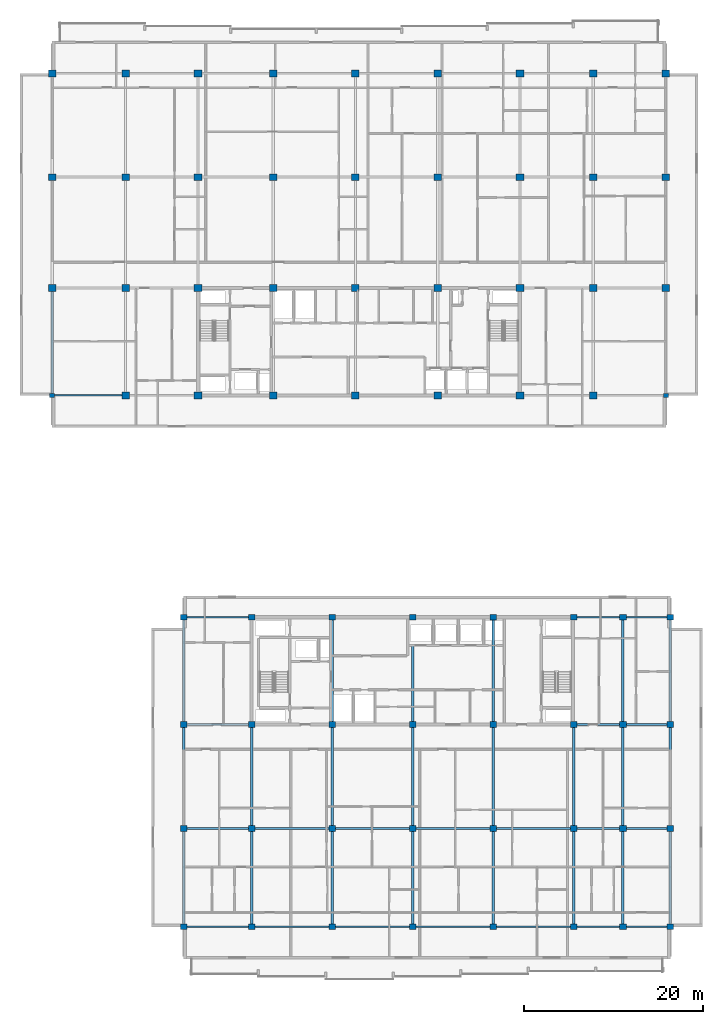
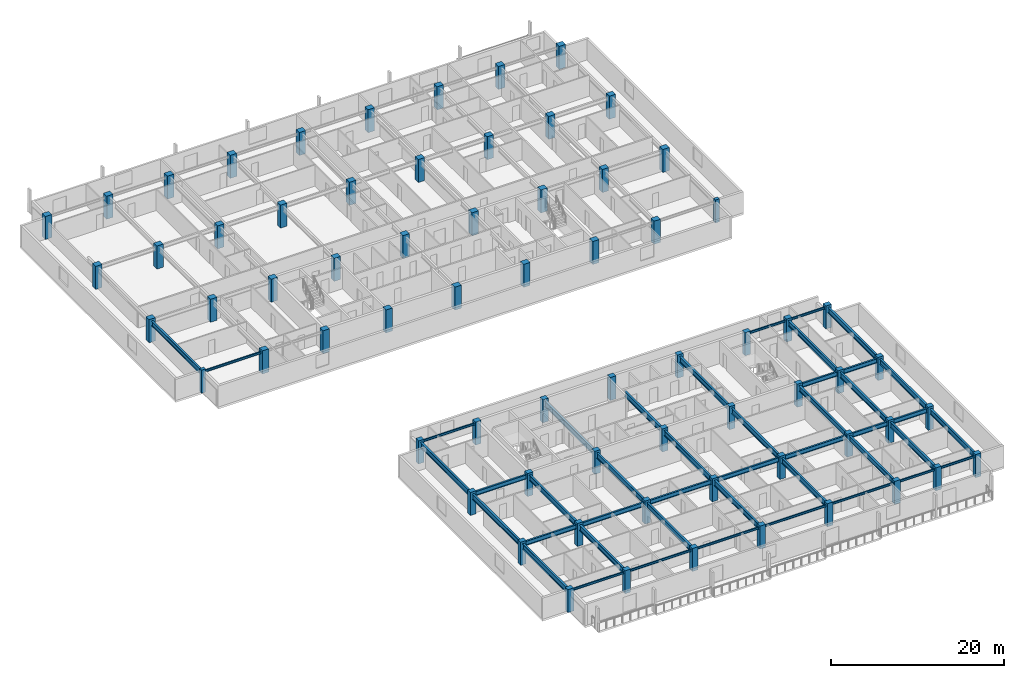
# One storey, part 1 of 22: 68 columns, 44 beams.
"""IFC4 building model written with IfcOpenShell, lengths in metres."""

from ifc_helpers import new_model, si_unit, direction, frame, origin, origin_2d, place, context, subcontext, project, spatial, rectangle, i_section, extrude, material, material_profile, profile_set, type_object, element, save


model = new_model("IFC4")

# Units and contexts
model_context = context("Model", 3, precision=1e-05, world=origin(), true_north=direction((0.0, 1.0)))
body_context = subcontext(model_context, "Body", "Model", "MODEL_VIEW")
ifc_project = project(units=[si_unit("LENGTHUNIT", "METRE"), si_unit("AREAUNIT", "SQUARE_METRE"), si_unit("VOLUMEUNIT", "CUBIC_METRE"), si_unit("PLANEANGLEUNIT", "RADIAN"), si_unit("MASSUNIT", "GRAM", prefix="KILO")], contexts=[model_context])

# Site, building, storey
site_placement = place(None, origin())
site = spatial("IfcSite", under=ifc_project, at=site_placement, CompositionType="ELEMENT")
building_placement = place(site_placement, origin())
building = spatial("IfcBuilding", under=site, at=building_placement, Name="Korimba Cascade Residences", CompositionType="ELEMENT")
storey_placement = place(building_placement, frame((0.0, 0.0, 181.60009765625)))
storey = spatial("IfcBuildingStorey", under=building, at=storey_placement, Name="L52", CompositionType="ELEMENT", Elevation=181.60009765625)

# Columns
ifc_material_1 = material(Name="Concrete C65/80", Category="concrete")
ifc_material_profile_1 = material_profile(ifc_material_1, rectangle(XDim=0.550048828125, YDim=0.449951171875, at=origin_2d()), Name="Concrete C65/80")
ifc_profile_set_1 = profile_set([ifc_material_profile_1], Name="Concrete C65/80")
column_type_1 = type_object("IfcColumnType", Name="COL-PIL-550", PredefinedType="PILASTER", material=ifc_profile_set_1)
for number, where, z_axis, x_axis, name in (
    (1, (59.800048828125, 55.199951171875, 0.0), (0.0, 0.0, 1.0), (1.0, 0.0, 0.0), "L52 Tower 1 Column 1.1"),
    (2, (128.39990234375, 55.199951171875, 0.0), (0.0, 0.0, 1.0), (1.0, 0.0, 0.0), "L52 Tower 1 Column 9.1"),
):
    element("IfcColumn", number, at=place(storey_placement, frame(where, z_axis=z_axis, x_axis=x_axis)), inside=storey, type_object=column_type_1, Name=name, PredefinedType="PILASTER", context=body_context, shape_type="SweptSolid", body=[
        extrude(rectangle(XDim=0.550048828125, YDim=0.449951171875, at=origin_2d()), origin(), (0.0, 0.0, 1.0), 3.25),
    ])
ifc_material_2 = material(Name="Concrete C50/60", Category="concrete")
ifc_material_profile_2 = material_profile(ifc_material_2, rectangle(XDim=0.75, YDim=0.64990234375, at=origin_2d()), Name="Concrete C50/60")
ifc_profile_set_2 = profile_set([ifc_material_profile_2], Name="Concrete C50/60")
column_type_2 = type_object("IfcColumnType", Name="COL-RC-750", PredefinedType="COLUMN", material=ifc_profile_set_2)
for number, where, z_axis, x_axis, name in (
    (3, (74.5, -4.199951171875, 0.0), (0.0, 0.0, 1.0), (1.0, 0.0, 0.0), "L52 Tower 2 Column 1.1"),
    (4, (74.5, 6.800048828125, 0.0), (0.0, 0.0, 1.0), (1.0, 0.0, 0.0), "L52 Tower 2 Column 1.2"),
    (5, (74.5, 18.39990234375, 0.0), (0.0, 0.0, 1.0), (1.0, 0.0, 0.0), "L52 Tower 2 Column 1.3"),
    (6, (74.5, 30.39990234375, 0.0), (0.0, 0.0, 1.0), (1.0, 0.0, 0.0), "L52 Tower 2 Column 1.4"),
    (7, (82.10009765625, -4.199951171875, 0.0), (0.0, 0.0, 1.0), (1.0, 0.0, 0.0), "L52 Tower 2 Column 2.1"),
    (8, (82.10009765625, 6.800048828125, 0.0), (0.0, 0.0, 1.0), (1.0, 0.0, 0.0), "L52 Tower 2 Column 2.2"),
    (9, (82.10009765625, 18.39990234375, 0.0), (0.0, 0.0, 1.0), (1.0, 0.0, 0.0), "L52 Tower 2 Column 2.3"),
    (10, (82.10009765625, 30.39990234375, 0.0), (0.0, 0.0, 1.0), (1.0, 0.0, 0.0), "L52 Tower 2 Column 2.4"),
    (11, (91.10009765625, -4.199951171875, 0.0), (0.0, 0.0, 1.0), (1.0, 0.0, 0.0), "L52 Tower 2 Column 3.1"),
    (12, (91.10009765625, 6.800048828125, 0.0), (0.0, 0.0, 1.0), (1.0, 0.0, 0.0), "L52 Tower 2 Column 3.2"),
    (13, (91.10009765625, 18.39990234375, 0.0), (0.0, 0.0, 1.0), (1.0, 0.0, 0.0), "L52 Tower 2 Column 3.3"),
    (14, (91.10009765625, 30.39990234375, 0.0), (0.0, 0.0, 1.0), (1.0, 0.0, 0.0), "L52 Tower 2 Column 3.4"),
    (15, (100.10009765625, -4.199951171875, 0.0), (0.0, 0.0, 1.0), (1.0, 0.0, 0.0), "L52 Tower 2 Column 4.1"),
    (16, (100.10009765625, 6.800048828125, 0.0), (0.0, 0.0, 1.0), (1.0, 0.0, 0.0), "L52 Tower 2 Column 4.2"),
    (17, (100.10009765625, 18.39990234375, 0.0), (0.0, 0.0, 1.0), (1.0, 0.0, 0.0), "L52 Tower 2 Column 4.3"),
    (18, (100.10009765625, 30.39990234375, 0.0), (0.0, 0.0, 1.0), (1.0, 0.0, 0.0), "L52 Tower 2 Column 4.4"),
    (19, (109.10009765625, -4.199951171875, 0.0), (0.0, 0.0, 1.0), (1.0, 0.0, 0.0), "L52 Tower 2 Column 5.1"),
    (20, (109.10009765625, 6.800048828125, 0.0), (0.0, 0.0, 1.0), (1.0, 0.0, 0.0), "L52 Tower 2 Column 5.2"),
    (21, (109.10009765625, 18.39990234375, 0.0), (0.0, 0.0, 1.0), (1.0, 0.0, 0.0), "L52 Tower 2 Column 5.3"),
    (22, (109.10009765625, 30.39990234375, 0.0), (0.0, 0.0, 1.0), (1.0, 0.0, 0.0), "L52 Tower 2 Column 5.4"),
    (23, (118.10009765625, -4.199951171875, 0.0), (0.0, 0.0, 1.0), (1.0, 0.0, 0.0), "L52 Tower 2 Column 6.1"),
    (24, (118.10009765625, 6.800048828125, 0.0), (0.0, 0.0, 1.0), (1.0, 0.0, 0.0), "L52 Tower 2 Column 6.2"),
    (25, (118.10009765625, 18.39990234375, 0.0), (0.0, 0.0, 1.0), (1.0, 0.0, 0.0), "L52 Tower 2 Column 6.3"),
    (26, (118.10009765625, 30.39990234375, 0.0), (0.0, 0.0, 1.0), (1.0, 0.0, 0.0), "L52 Tower 2 Column 6.4"),
    (27, (123.60009765625, -4.199951171875, 0.0), (0.0, 0.0, 1.0), (1.0, 0.0, 0.0), "L52 Tower 2 Column 7.1"),
    (28, (123.60009765625, 6.800048828125, 0.0), (0.0, 0.0, 1.0), (1.0, 0.0, 0.0), "L52 Tower 2 Column 7.2"),
    (29, (123.60009765625, 18.39990234375, 0.0), (0.0, 0.0, 1.0), (1.0, 0.0, 0.0), "L52 Tower 2 Column 7.3"),
    (30, (123.60009765625, 30.39990234375, 0.0), (0.0, 0.0, 1.0), (1.0, 0.0, 0.0), "L52 Tower 2 Column 7.4"),
    (31, (128.89990234375, -4.199951171875, 0.0), (0.0, 0.0, 1.0), (1.0, 0.0, 0.0), "L52 Tower 2 Column 8.1"),
    (32, (128.89990234375, 6.800048828125, 0.0), (0.0, 0.0, 1.0), (1.0, 0.0, 0.0), "L52 Tower 2 Column 8.2"),
    (33, (128.89990234375, 18.39990234375, 0.0), (0.0, 0.0, 1.0), (1.0, 0.0, 0.0), "L52 Tower 2 Column 8.3"),
    (34, (128.89990234375, 30.39990234375, 0.0), (0.0, 0.0, 1.0), (1.0, 0.0, 0.0), "L52 Tower 2 Column 8.4"),
):
    element("IfcColumn", number, at=place(storey_placement, frame(where, z_axis=z_axis, x_axis=x_axis)), inside=storey, type_object=column_type_2, Name=name, PredefinedType="COLUMN", context=body_context, shape_type="SweptSolid", body=[
        extrude(rectangle(XDim=0.75, YDim=0.64990234375, at=origin_2d()), origin(), (0.0, 0.0, 1.0), 3.25),
    ])
ifc_material_profile_3 = material_profile(ifc_material_1, rectangle(XDim=0.85009765625, YDim=0.75, at=origin_2d()), Name="Concrete C65/80")
ifc_profile_set_3 = profile_set([ifc_material_profile_3], Name="Concrete C65/80")
column_type_3 = type_object("IfcColumnType", Name="COL-RC-850", PredefinedType="COLUMN", material=ifc_profile_set_3)
for number, where, z_axis, x_axis, name in (
    (35, (59.800048828125, 67.199951171875, 0.0), (0.0, 0.0, 1.0), (1.0, 0.0, 0.0), "L52 Tower 1 Column 1.2"),
    (36, (59.800048828125, 79.60009765625, 0.0), (0.0, 0.0, 1.0), (1.0, 0.0, 0.0), "L52 Tower 1 Column 1.3"),
    (37, (59.800048828125, 91.199951171875, 0.0), (0.0, 0.0, 1.0), (1.0, 0.0, 0.0), "L52 Tower 1 Column 1.4"),
    (38, (68.0, 55.199951171875, 0.0), (0.0, 0.0, 1.0), (1.0, 0.0, 0.0), "L52 Tower 1 Column 2.1"),
    (39, (68.0, 67.199951171875, 0.0), (0.0, 0.0, 1.0), (1.0, 0.0, 0.0), "L52 Tower 1 Column 2.2"),
    (40, (68.0, 79.60009765625, 0.0), (0.0, 0.0, 1.0), (1.0, 0.0, 0.0), "L52 Tower 1 Column 2.3"),
    (41, (68.0, 91.199951171875, 0.0), (0.0, 0.0, 1.0), (1.0, 0.0, 0.0), "L52 Tower 1 Column 2.4"),
    (42, (76.10009765625, 55.199951171875, 0.0), (0.0, 0.0, 1.0), (1.0, 0.0, 0.0), "L52 Tower 1 Column 3.1"),
    (43, (76.10009765625, 67.199951171875, 0.0), (0.0, 0.0, 1.0), (1.0, 0.0, 0.0), "L52 Tower 1 Column 3.2"),
    (44, (76.10009765625, 79.60009765625, 0.0), (0.0, 0.0, 1.0), (1.0, 0.0, 0.0), "L52 Tower 1 Column 3.3"),
    (45, (76.10009765625, 91.199951171875, 0.0), (0.0, 0.0, 1.0), (1.0, 0.0, 0.0), "L52 Tower 1 Column 3.4"),
    (46, (84.5, 55.199951171875, 0.0), (0.0, 0.0, 1.0), (1.0, 0.0, 0.0), "L52 Tower 1 Column 4.1"),
    (47, (84.5, 67.199951171875, 0.0), (0.0, 0.0, 1.0), (1.0, 0.0, 0.0), "L52 Tower 1 Column 4.2"),
    (48, (84.5, 79.60009765625, 0.0), (0.0, 0.0, 1.0), (1.0, 0.0, 0.0), "L52 Tower 1 Column 4.3"),
    (49, (84.5, 91.199951171875, 0.0), (0.0, 0.0, 1.0), (1.0, 0.0, 0.0), "L52 Tower 1 Column 4.4"),
    (50, (93.699951171875, 55.199951171875, 0.0), (0.0, 0.0, 1.0), (1.0, 0.0, 0.0), "L52 Tower 1 Column 5.1"),
    (51, (93.699951171875, 67.199951171875, 0.0), (0.0, 0.0, 1.0), (1.0, 0.0, 0.0), "L52 Tower 1 Column 5.2"),
    (52, (93.699951171875, 79.60009765625, 0.0), (0.0, 0.0, 1.0), (1.0, 0.0, 0.0), "L52 Tower 1 Column 5.3"),
    (53, (93.699951171875, 91.199951171875, 0.0), (0.0, 0.0, 1.0), (1.0, 0.0, 0.0), "L52 Tower 1 Column 5.4"),
    (54, (102.89990234375, 55.199951171875, 0.0), (0.0, 0.0, 1.0), (1.0, 0.0, 0.0), "L52 Tower 1 Column 6.1"),
    (55, (102.89990234375, 67.199951171875, 0.0), (0.0, 0.0, 1.0), (1.0, 0.0, 0.0), "L52 Tower 1 Column 6.2"),
    (56, (102.89990234375, 79.60009765625, 0.0), (0.0, 0.0, 1.0), (1.0, 0.0, 0.0), "L52 Tower 1 Column 6.3"),
    (57, (102.89990234375, 91.199951171875, 0.0), (0.0, 0.0, 1.0), (1.0, 0.0, 0.0), "L52 Tower 1 Column 6.4"),
    (58, (112.10009765625, 55.199951171875, 0.0), (0.0, 0.0, 1.0), (1.0, 0.0, 0.0), "L52 Tower 1 Column 7.1"),
    (59, (112.10009765625, 67.199951171875, 0.0), (0.0, 0.0, 1.0), (1.0, 0.0, 0.0), "L52 Tower 1 Column 7.2"),
    (60, (112.10009765625, 79.60009765625, 0.0), (0.0, 0.0, 1.0), (1.0, 0.0, 0.0), "L52 Tower 1 Column 7.3"),
    (61, (112.10009765625, 91.199951171875, 0.0), (0.0, 0.0, 1.0), (1.0, 0.0, 0.0), "L52 Tower 1 Column 7.4"),
    (62, (120.300048828125, 55.199951171875, 0.0), (0.0, 0.0, 1.0), (1.0, 0.0, 0.0), "L52 Tower 1 Column 8.1"),
    (63, (120.300048828125, 67.199951171875, 0.0), (0.0, 0.0, 1.0), (1.0, 0.0, 0.0), "L52 Tower 1 Column 8.2"),
    (64, (120.300048828125, 79.60009765625, 0.0), (0.0, 0.0, 1.0), (1.0, 0.0, 0.0), "L52 Tower 1 Column 8.3"),
    (65, (120.300048828125, 91.199951171875, 0.0), (0.0, 0.0, 1.0), (1.0, 0.0, 0.0), "L52 Tower 1 Column 8.4"),
    (66, (128.39990234375, 67.199951171875, 0.0), (0.0, 0.0, 1.0), (1.0, 0.0, 0.0), "L52 Tower 1 Column 9.2"),
    (67, (128.39990234375, 79.60009765625, 0.0), (0.0, 0.0, 1.0), (1.0, 0.0, 0.0), "L52 Tower 1 Column 9.3"),
    (68, (128.39990234375, 91.199951171875, 0.0), (0.0, 0.0, 1.0), (1.0, 0.0, 0.0), "L52 Tower 1 Column 9.4"),
):
    element("IfcColumn", number, at=place(storey_placement, frame(where, z_axis=z_axis, x_axis=x_axis)), inside=storey, type_object=column_type_3, Name=name, PredefinedType="COLUMN", context=body_context, shape_type="SweptSolid", body=[
        extrude(rectangle(XDim=0.85009765625, YDim=0.75, at=origin_2d()), origin(), (0.0, 0.0, 1.0), 3.25),
    ])

# Beams
ifc_material_3 = material(Name="Steel S355", Category="steel")
ifc_material_profile_4 = material_profile(ifc_material_3, i_section(OverallWidth=0.165771484375, OverallDepth=0.306640625, WebThickness=0.006591796875, FlangeThickness=0.01171875, FilletRadius=0.0087890625, at=origin_2d()), Name="Steel S355")
ifc_profile_set_4 = profile_set([ifc_material_profile_4], Name="Steel S355")
beam_type_1 = type_object("IfcBeamType", Name="BM-STL-UB305", PredefinedType="SPANDREL", material=ifc_profile_set_4)
beam_1_placement = place(storey_placement, frame((60.074951171875, 55.199951171875, 2.816650390625), z_axis=(1.0, 0.0, 0.0), x_axis=(0.0, 1.0, 0.0)))
element("IfcBeam", 69, at=beam_1_placement, inside=storey, type_object=beam_type_1, Name="L52 T1 E-W Girder Y1 Bay 1", PredefinedType="SPANDREL", context=body_context, shape_type="SweptSolid", body=[
    extrude(i_section(OverallWidth=0.165771484375, OverallDepth=0.306640625, WebThickness=0.006591796875, FlangeThickness=0.01171875, FilletRadius=0.0087890625, at=origin_2d()), origin(), (0.0, 0.0, 1.0), 7.5),
])
beam_2_placement = place(storey_placement, frame((74.875, -4.199951171875, 2.816650390625), z_axis=(1.0, 0.0, 0.0), x_axis=(0.0, 1.0, 0.0)))
element("IfcBeam", 70, at=beam_2_placement, inside=storey, type_object=beam_type_1, Name="L52 T2 E-W Girder Y1 Bay 1", PredefinedType="SPANDREL", context=body_context, shape_type="SweptSolid", body=[
    extrude(i_section(OverallWidth=0.165771484375, OverallDepth=0.306640625, WebThickness=0.006591796875, FlangeThickness=0.01171875, FilletRadius=0.0087890625, at=origin_2d()), origin(), (0.0, 0.0, 1.0), 6.85009765625),
])
for number, where, z_axis, x_axis, name in (
    (71, (82.47509765625, -4.199951171875, 2.816650390625), (1.0, 0.0, 0.0), (0.0, 1.0, 0.0), "L52 T2 E-W Girder Y1 Bay 2"),
    (72, (91.47509765625, -4.199951171875, 2.816650390625), (1.0, 0.0, 0.0), (0.0, 1.0, 0.0), "L52 T2 E-W Girder Y1 Bay 3"),
    (73, (100.47509765625, -4.199951171875, 2.816650390625), (1.0, 0.0, 0.0), (0.0, 1.0, 0.0), "L52 T2 E-W Girder Y1 Bay 4"),
    (74, (109.47509765625, -4.199951171875, 2.816650390625), (1.0, 0.0, 0.0), (0.0, 1.0, 0.0), "L52 T2 E-W Girder Y1 Bay 5"),
):
    element("IfcBeam", number, at=place(storey_placement, frame(where, z_axis=z_axis, x_axis=x_axis)), inside=storey, type_object=beam_type_1, Name=name, PredefinedType="SPANDREL", context=body_context, shape_type="SweptSolid", body=[
        extrude(i_section(OverallWidth=0.165771484375, OverallDepth=0.306640625, WebThickness=0.006591796875, FlangeThickness=0.01171875, FilletRadius=0.0087890625, at=origin_2d()), origin(), (0.0, 0.0, 1.0), 8.25),
    ])
beam_3_placement = place(storey_placement, frame((118.47509765625, -4.199951171875, 2.816650390625), z_axis=(1.0, 0.0, 0.0), x_axis=(0.0, 1.0, 0.0)))
element("IfcBeam", 75, at=beam_3_placement, inside=storey, type_object=beam_type_1, Name="L52 T2 E-W Girder Y1 Bay 6", PredefinedType="SPANDREL", context=body_context, shape_type="SweptSolid", body=[
    extrude(i_section(OverallWidth=0.165771484375, OverallDepth=0.306640625, WebThickness=0.006591796875, FlangeThickness=0.01171875, FilletRadius=0.0087890625, at=origin_2d()), origin(), (0.0, 0.0, 1.0), 4.75),
])
beam_4_placement = place(storey_placement, frame((123.97509765625, -4.199951171875, 2.816650390625), z_axis=(1.0, 0.0, 0.0), x_axis=(0.0, 1.0, 0.0)))
element("IfcBeam", 76, at=beam_4_placement, inside=storey, type_object=beam_type_1, Name="L52 T2 E-W Girder Y1 Bay 7", PredefinedType="SPANDREL", context=body_context, shape_type="SweptSolid", body=[
    extrude(i_section(OverallWidth=0.165771484375, OverallDepth=0.306640625, WebThickness=0.006591796875, FlangeThickness=0.01171875, FilletRadius=0.0087890625, at=origin_2d()), origin(), (0.0, 0.0, 1.0), 4.5498046875),
])
beam_5_placement = place(storey_placement, frame((74.875, 30.39990234375, 2.816650390625), z_axis=(1.0, 0.0, 0.0), x_axis=(0.0, 1.0, 0.0)))
element("IfcBeam", 77, at=beam_5_placement, inside=storey, type_object=beam_type_1, Name="L52 T2 E-W Girder Y4 Bay 1", PredefinedType="SPANDREL", context=body_context, shape_type="SweptSolid", body=[
    extrude(i_section(OverallWidth=0.165771484375, OverallDepth=0.306640625, WebThickness=0.006591796875, FlangeThickness=0.01171875, FilletRadius=0.0087890625, at=origin_2d()), origin(), (0.0, 0.0, 1.0), 6.85009765625),
])
beam_6_placement = place(storey_placement, frame((118.47509765625, 30.39990234375, 2.816650390625), z_axis=(1.0, 0.0, 0.0), x_axis=(0.0, 1.0, 0.0)))
element("IfcBeam", 78, at=beam_6_placement, inside=storey, type_object=beam_type_1, Name="L52 T2 E-W Girder Y4 Bay 6", PredefinedType="SPANDREL", context=body_context, shape_type="SweptSolid", body=[
    extrude(i_section(OverallWidth=0.165771484375, OverallDepth=0.306640625, WebThickness=0.006591796875, FlangeThickness=0.01171875, FilletRadius=0.0087890625, at=origin_2d()), origin(), (0.0, 0.0, 1.0), 4.75),
])
beam_7_placement = place(storey_placement, frame((123.97509765625, 30.39990234375, 2.816650390625), z_axis=(1.0, 0.0, 0.0), x_axis=(0.0, 1.0, 0.0)))
element("IfcBeam", 79, at=beam_7_placement, inside=storey, type_object=beam_type_1, Name="L52 T2 E-W Girder Y4 Bay 7", PredefinedType="SPANDREL", context=body_context, shape_type="SweptSolid", body=[
    extrude(i_section(OverallWidth=0.165771484375, OverallDepth=0.306640625, WebThickness=0.006591796875, FlangeThickness=0.01171875, FilletRadius=0.0087890625, at=origin_2d()), origin(), (0.0, 0.0, 1.0), 4.5498046875),
])
ifc_material_profile_5 = material_profile(ifc_material_3, i_section(OverallWidth=0.22900390625, OverallDepth=0.6123046875, WebThickness=0.011962890625, FlangeThickness=0.01953125, FilletRadius=0.0126953125, at=origin_2d()), Name="Steel S355")
ifc_profile_set_5 = profile_set([ifc_material_profile_5], Name="Steel S355")
beam_type_2 = type_object("IfcBeamType", Name="BM-STL-UB610B", PredefinedType="BEAM", material=ifc_profile_set_5)
beam_8_placement = place(storey_placement, frame((74.875, 6.800048828125, 2.663818359375), z_axis=(1.0, 0.0, 0.0), x_axis=(0.0, 1.0, 0.0)))
element("IfcBeam", 80, at=beam_8_placement, inside=storey, type_object=beam_type_2, Name="L52 T2 E-W Girder Y2 Bay 1", PredefinedType="BEAM", context=body_context, shape_type="SweptSolid", body=[
    extrude(i_section(OverallWidth=0.22900390625, OverallDepth=0.6123046875, WebThickness=0.011962890625, FlangeThickness=0.01953125, FilletRadius=0.0126953125, at=origin_2d()), origin(), (0.0, 0.0, 1.0), 6.85009765625),
])
for number, where, z_axis, x_axis, name in (
    (81, (82.47509765625, 6.800048828125, 2.663818359375), (1.0, 0.0, 0.0), (0.0, 1.0, 0.0), "L52 T2 E-W Girder Y2 Bay 2"),
    (82, (91.47509765625, 6.800048828125, 2.663818359375), (1.0, 0.0, 0.0), (0.0, 1.0, 0.0), "L52 T2 E-W Girder Y2 Bay 3"),
    (83, (100.47509765625, 6.800048828125, 2.663818359375), (1.0, 0.0, 0.0), (0.0, 1.0, 0.0), "L52 T2 E-W Girder Y2 Bay 4"),
    (84, (109.47509765625, 6.800048828125, 2.663818359375), (1.0, 0.0, 0.0), (0.0, 1.0, 0.0), "L52 T2 E-W Girder Y2 Bay 5"),
):
    element("IfcBeam", number, at=place(storey_placement, frame(where, z_axis=z_axis, x_axis=x_axis)), inside=storey, type_object=beam_type_2, Name=name, PredefinedType="BEAM", context=body_context, shape_type="SweptSolid", body=[
        extrude(i_section(OverallWidth=0.22900390625, OverallDepth=0.6123046875, WebThickness=0.011962890625, FlangeThickness=0.01953125, FilletRadius=0.0126953125, at=origin_2d()), origin(), (0.0, 0.0, 1.0), 8.25),
    ])
beam_9_placement = place(storey_placement, frame((118.47509765625, 6.800048828125, 2.663818359375), z_axis=(1.0, 0.0, 0.0), x_axis=(0.0, 1.0, 0.0)))
element("IfcBeam", 85, at=beam_9_placement, inside=storey, type_object=beam_type_2, Name="L52 T2 E-W Girder Y2 Bay 6", PredefinedType="BEAM", context=body_context, shape_type="SweptSolid", body=[
    extrude(i_section(OverallWidth=0.22900390625, OverallDepth=0.6123046875, WebThickness=0.011962890625, FlangeThickness=0.01953125, FilletRadius=0.0126953125, at=origin_2d()), origin(), (0.0, 0.0, 1.0), 4.75),
])
beam_10_placement = place(storey_placement, frame((123.97509765625, 6.800048828125, 2.663818359375), z_axis=(1.0, 0.0, 0.0), x_axis=(0.0, 1.0, 0.0)))
element("IfcBeam", 86, at=beam_10_placement, inside=storey, type_object=beam_type_2, Name="L52 T2 E-W Girder Y2 Bay 7", PredefinedType="BEAM", context=body_context, shape_type="SweptSolid", body=[
    extrude(i_section(OverallWidth=0.22900390625, OverallDepth=0.6123046875, WebThickness=0.011962890625, FlangeThickness=0.01953125, FilletRadius=0.0126953125, at=origin_2d()), origin(), (0.0, 0.0, 1.0), 4.5498046875),
])
beam_11_placement = place(storey_placement, frame((74.875, 18.39990234375, 2.663818359375), z_axis=(1.0, 0.0, 0.0), x_axis=(0.0, 1.0, 0.0)))
element("IfcBeam", 87, at=beam_11_placement, inside=storey, type_object=beam_type_2, Name="L52 T2 E-W Girder Y3 Bay 1", PredefinedType="BEAM", context=body_context, shape_type="SweptSolid", body=[
    extrude(i_section(OverallWidth=0.22900390625, OverallDepth=0.6123046875, WebThickness=0.011962890625, FlangeThickness=0.01953125, FilletRadius=0.0126953125, at=origin_2d()), origin(), (0.0, 0.0, 1.0), 6.85009765625),
])
beam_12_placement = place(storey_placement, frame((118.47509765625, 18.39990234375, 2.663818359375), z_axis=(1.0, 0.0, 0.0), x_axis=(0.0, 1.0, 0.0)))
element("IfcBeam", 88, at=beam_12_placement, inside=storey, type_object=beam_type_2, Name="L52 T2 E-W Girder Y3 Bay 6", PredefinedType="BEAM", context=body_context, shape_type="SweptSolid", body=[
    extrude(i_section(OverallWidth=0.22900390625, OverallDepth=0.6123046875, WebThickness=0.011962890625, FlangeThickness=0.01953125, FilletRadius=0.0126953125, at=origin_2d()), origin(), (0.0, 0.0, 1.0), 4.75),
])
beam_13_placement = place(storey_placement, frame((123.97509765625, 18.39990234375, 2.663818359375), z_axis=(1.0, 0.0, 0.0), x_axis=(0.0, 1.0, 0.0)))
element("IfcBeam", 89, at=beam_13_placement, inside=storey, type_object=beam_type_2, Name="L52 T2 E-W Girder Y3 Bay 7", PredefinedType="BEAM", context=body_context, shape_type="SweptSolid", body=[
    extrude(i_section(OverallWidth=0.22900390625, OverallDepth=0.6123046875, WebThickness=0.011962890625, FlangeThickness=0.01953125, FilletRadius=0.0126953125, at=origin_2d()), origin(), (0.0, 0.0, 1.0), 4.5498046875),
])
ifc_material_profile_6 = material_profile(ifc_material_3, i_section(OverallWidth=0.255859375, OverallDepth=0.69287109375, WebThickness=0.014404296875, FlangeThickness=0.023681640625, FilletRadius=0.01513671875, at=origin_2d()), Name="Steel S355")
ifc_profile_set_6 = profile_set([ifc_material_profile_6], Name="Steel S355")
beam_type_3 = type_object("IfcBeamType", Name="BM-STL-UB686", PredefinedType="BEAM", material=ifc_profile_set_6)
beam_14_placement = place(storey_placement, frame((59.800048828125, 55.425048828125, 2.623291015625), z_axis=(0.0, 1.0, 0.0), x_axis=(-1.0, 0.0, 0.0)))
element("IfcBeam", 90, at=beam_14_placement, inside=storey, type_object=beam_type_3, Name="L52 T1 N-S Girder X1 Seg 1", PredefinedType="BEAM", context=body_context, shape_type="SweptSolid", body=[
    extrude(i_section(OverallWidth=0.255859375, OverallDepth=0.69287109375, WebThickness=0.014404296875, FlangeThickness=0.023681640625, FilletRadius=0.01513671875, at=origin_2d()), origin(), (0.0, 0.0, 1.0), 11.39990234375),
])
ifc_material_profile_7 = material_profile(ifc_material_3, i_section(OverallWidth=0.26806640625, OverallDepth=0.769775390625, WebThickness=0.015625, FlangeThickness=0.025390625, FilletRadius=0.0166015625, at=origin_2d()), Name="Steel S355")
ifc_profile_set_7 = profile_set([ifc_material_profile_7], Name="Steel S355")
beam_type_4 = type_object("IfcBeamType", Name="BM-STL-UB762", PredefinedType="BEAM", material=ifc_profile_set_7)
beam_15_placement = place(storey_placement, frame((74.5, -3.875, 2.5849609375), z_axis=(0.0, 1.0, 0.0), x_axis=(-1.0, 0.0, 0.0)))
element("IfcBeam", 91, at=beam_15_placement, inside=storey, type_object=beam_type_4, Name="L52 T2 N-S Girder X1 Seg 1", PredefinedType="BEAM", context=body_context, shape_type="SweptSolid", body=[
    extrude(i_section(OverallWidth=0.26806640625, OverallDepth=0.769775390625, WebThickness=0.015625, FlangeThickness=0.025390625, FilletRadius=0.0166015625, at=origin_2d()), origin(), (0.0, 0.0, 1.0), 10.35009765625),
])
beam_16_placement = place(storey_placement, frame((74.5, 7.125, 2.5849609375), z_axis=(0.0, 1.0, 0.0), x_axis=(-1.0, 0.0, 0.0)))
element("IfcBeam", 92, at=beam_16_placement, inside=storey, type_object=beam_type_4, Name="L52 T2 N-S Girder X1 Seg 2", PredefinedType="BEAM", context=body_context, shape_type="SweptSolid", body=[
    extrude(i_section(OverallWidth=0.26806640625, OverallDepth=0.769775390625, WebThickness=0.015625, FlangeThickness=0.025390625, FilletRadius=0.0166015625, at=origin_2d()), origin(), (0.0, 0.0, 1.0), 10.949951171875),
])
beam_17_placement = place(storey_placement, frame((74.5, 18.72509765625, 2.5849609375), z_axis=(0.0, 1.0, 0.0), x_axis=(-1.0, 0.0, 0.0)))
element("IfcBeam", 93, at=beam_17_placement, inside=storey, type_object=beam_type_4, Name="L52 T2 N-S Girder X1 Seg 3", PredefinedType="BEAM", context=body_context, shape_type="SweptSolid", body=[
    extrude(i_section(OverallWidth=0.26806640625, OverallDepth=0.769775390625, WebThickness=0.015625, FlangeThickness=0.025390625, FilletRadius=0.0166015625, at=origin_2d()), origin(), (0.0, 0.0, 1.0), 11.349853515625),
])
beam_18_placement = place(storey_placement, frame((82.10009765625, -3.875, 2.5849609375), z_axis=(0.0, 1.0, 0.0), x_axis=(-1.0, 0.0, 0.0)))
element("IfcBeam", 94, at=beam_18_placement, inside=storey, type_object=beam_type_4, Name="L52 T2 N-S Girder X2 Seg 1", PredefinedType="BEAM", context=body_context, shape_type="SweptSolid", body=[
    extrude(i_section(OverallWidth=0.26806640625, OverallDepth=0.769775390625, WebThickness=0.015625, FlangeThickness=0.025390625, FilletRadius=0.0166015625, at=origin_2d()), origin(), (0.0, 0.0, 1.0), 10.35009765625),
])
beam_19_placement = place(storey_placement, frame((82.10009765625, 7.125, 2.5849609375), z_axis=(0.0, 1.0, 0.0), x_axis=(-1.0, 0.0, 0.0)))
element("IfcBeam", 95, at=beam_19_placement, inside=storey, type_object=beam_type_4, Name="L52 T2 N-S Girder X2 Seg 2", PredefinedType="BEAM", context=body_context, shape_type="SweptSolid", body=[
    extrude(i_section(OverallWidth=0.26806640625, OverallDepth=0.769775390625, WebThickness=0.015625, FlangeThickness=0.025390625, FilletRadius=0.0166015625, at=origin_2d()), origin(), (0.0, 0.0, 1.0), 10.949951171875),
])
beam_20_placement = place(storey_placement, frame((91.10009765625, -3.875, 2.5849609375), z_axis=(0.0, 1.0, 0.0), x_axis=(-1.0, 0.0, 0.0)))
element("IfcBeam", 96, at=beam_20_placement, inside=storey, type_object=beam_type_4, Name="L52 T2 N-S Girder X3 Seg 1", PredefinedType="BEAM", context=body_context, shape_type="SweptSolid", body=[
    extrude(i_section(OverallWidth=0.26806640625, OverallDepth=0.769775390625, WebThickness=0.015625, FlangeThickness=0.025390625, FilletRadius=0.0166015625, at=origin_2d()), origin(), (0.0, 0.0, 1.0), 10.35009765625),
])
beam_21_placement = place(storey_placement, frame((91.10009765625, 7.125, 2.5849609375), z_axis=(0.0, 1.0, 0.0), x_axis=(-1.0, 0.0, 0.0)))
element("IfcBeam", 97, at=beam_21_placement, inside=storey, type_object=beam_type_4, Name="L52 T2 N-S Girder X3 Seg 2", PredefinedType="BEAM", context=body_context, shape_type="SweptSolid", body=[
    extrude(i_section(OverallWidth=0.26806640625, OverallDepth=0.769775390625, WebThickness=0.015625, FlangeThickness=0.025390625, FilletRadius=0.0166015625, at=origin_2d()), origin(), (0.0, 0.0, 1.0), 10.949951171875),
])
beam_22_placement = place(storey_placement, frame((91.10009765625, 18.72509765625, 2.5849609375), z_axis=(0.0, 1.0, 0.0), x_axis=(-1.0, 0.0, 0.0)))
element("IfcBeam", 98, at=beam_22_placement, inside=storey, type_object=beam_type_4, Name="L52 T2 N-S Girder X3 Seg 3", PredefinedType="BEAM", context=body_context, shape_type="SweptSolid", body=[
    extrude(i_section(OverallWidth=0.26806640625, OverallDepth=0.769775390625, WebThickness=0.015625, FlangeThickness=0.025390625, FilletRadius=0.0166015625, at=origin_2d()), origin(), (0.0, 0.0, 1.0), 11.349853515625),
])
beam_23_placement = place(storey_placement, frame((100.10009765625, -3.875, 2.5849609375), z_axis=(0.0, 1.0, 0.0), x_axis=(-1.0, 0.0, 0.0)))
element("IfcBeam", 99, at=beam_23_placement, inside=storey, type_object=beam_type_4, Name="L52 T2 N-S Girder X4 Seg 1", PredefinedType="BEAM", context=body_context, shape_type="SweptSolid", body=[
    extrude(i_section(OverallWidth=0.26806640625, OverallDepth=0.769775390625, WebThickness=0.015625, FlangeThickness=0.025390625, FilletRadius=0.0166015625, at=origin_2d()), origin(), (0.0, 0.0, 1.0), 10.35009765625),
])
beam_24_placement = place(storey_placement, frame((100.10009765625, 7.125, 2.5849609375), z_axis=(0.0, 1.0, 0.0), x_axis=(-1.0, 0.0, 0.0)))
element("IfcBeam", 100, at=beam_24_placement, inside=storey, type_object=beam_type_4, Name="L52 T2 N-S Girder X4 Seg 2", PredefinedType="BEAM", context=body_context, shape_type="SweptSolid", body=[
    extrude(i_section(OverallWidth=0.26806640625, OverallDepth=0.769775390625, WebThickness=0.015625, FlangeThickness=0.025390625, FilletRadius=0.0166015625, at=origin_2d()), origin(), (0.0, 0.0, 1.0), 10.949951171875),
])
beam_25_placement = place(storey_placement, frame((100.10009765625, 18.72509765625, 2.5849609375), z_axis=(0.0, 1.0, 0.0), x_axis=(-1.0, 0.0, 0.0)))
element("IfcBeam", 101, at=beam_25_placement, inside=storey, type_object=beam_type_4, Name="L52 T2 N-S Girder X4 Seg 3", PredefinedType="BEAM", context=body_context, shape_type="SweptSolid", body=[
    extrude(i_section(OverallWidth=0.26806640625, OverallDepth=0.769775390625, WebThickness=0.015625, FlangeThickness=0.025390625, FilletRadius=0.0166015625, at=origin_2d()), origin(), (0.0, 0.0, 1.0), 8.614990234375),
])
beam_26_placement = place(storey_placement, frame((109.10009765625, -3.875, 2.5849609375), z_axis=(0.0, 1.0, 0.0), x_axis=(-1.0, 0.0, 0.0)))
element("IfcBeam", 102, at=beam_26_placement, inside=storey, type_object=beam_type_4, Name="L52 T2 N-S Girder X5 Seg 1", PredefinedType="BEAM", context=body_context, shape_type="SweptSolid", body=[
    extrude(i_section(OverallWidth=0.26806640625, OverallDepth=0.769775390625, WebThickness=0.015625, FlangeThickness=0.025390625, FilletRadius=0.0166015625, at=origin_2d()), origin(), (0.0, 0.0, 1.0), 10.35009765625),
])
beam_27_placement = place(storey_placement, frame((109.10009765625, 7.125, 2.5849609375), z_axis=(0.0, 1.0, 0.0), x_axis=(-1.0, 0.0, 0.0)))
element("IfcBeam", 103, at=beam_27_placement, inside=storey, type_object=beam_type_4, Name="L52 T2 N-S Girder X5 Seg 2", PredefinedType="BEAM", context=body_context, shape_type="SweptSolid", body=[
    extrude(i_section(OverallWidth=0.26806640625, OverallDepth=0.769775390625, WebThickness=0.015625, FlangeThickness=0.025390625, FilletRadius=0.0166015625, at=origin_2d()), origin(), (0.0, 0.0, 1.0), 10.949951171875),
])
beam_28_placement = place(storey_placement, frame((109.10009765625, 18.72509765625, 2.5849609375), z_axis=(0.0, 1.0, 0.0), x_axis=(-1.0, 0.0, 0.0)))
element("IfcBeam", 104, at=beam_28_placement, inside=storey, type_object=beam_type_4, Name="L52 T2 N-S Girder X5 Seg 3", PredefinedType="BEAM", context=body_context, shape_type="SweptSolid", body=[
    extrude(i_section(OverallWidth=0.26806640625, OverallDepth=0.769775390625, WebThickness=0.015625, FlangeThickness=0.025390625, FilletRadius=0.0166015625, at=origin_2d()), origin(), (0.0, 0.0, 1.0), 11.349853515625),
])
beam_29_placement = place(storey_placement, frame((118.10009765625, -3.875, 2.5849609375), z_axis=(0.0, 1.0, 0.0), x_axis=(-1.0, 0.0, 0.0)))
element("IfcBeam", 105, at=beam_29_placement, inside=storey, type_object=beam_type_4, Name="L52 T2 N-S Girder X6 Seg 1", PredefinedType="BEAM", context=body_context, shape_type="SweptSolid", body=[
    extrude(i_section(OverallWidth=0.26806640625, OverallDepth=0.769775390625, WebThickness=0.015625, FlangeThickness=0.025390625, FilletRadius=0.0166015625, at=origin_2d()), origin(), (0.0, 0.0, 1.0), 10.35009765625),
])
beam_30_placement = place(storey_placement, frame((118.10009765625, 7.125, 2.5849609375), z_axis=(0.0, 1.0, 0.0), x_axis=(-1.0, 0.0, 0.0)))
element("IfcBeam", 106, at=beam_30_placement, inside=storey, type_object=beam_type_4, Name="L52 T2 N-S Girder X6 Seg 2", PredefinedType="BEAM", context=body_context, shape_type="SweptSolid", body=[
    extrude(i_section(OverallWidth=0.26806640625, OverallDepth=0.769775390625, WebThickness=0.015625, FlangeThickness=0.025390625, FilletRadius=0.0166015625, at=origin_2d()), origin(), (0.0, 0.0, 1.0), 10.949951171875),
])
beam_31_placement = place(storey_placement, frame((123.60009765625, -3.875, 2.5849609375), z_axis=(0.0, 1.0, 0.0), x_axis=(-1.0, 0.0, 0.0)))
element("IfcBeam", 107, at=beam_31_placement, inside=storey, type_object=beam_type_4, Name="L52 T2 N-S Girder X7 Seg 1", PredefinedType="BEAM", context=body_context, shape_type="SweptSolid", body=[
    extrude(i_section(OverallWidth=0.26806640625, OverallDepth=0.769775390625, WebThickness=0.015625, FlangeThickness=0.025390625, FilletRadius=0.0166015625, at=origin_2d()), origin(), (0.0, 0.0, 1.0), 10.35009765625),
])
beam_32_placement = place(storey_placement, frame((123.60009765625, 7.125, 2.5849609375), z_axis=(0.0, 1.0, 0.0), x_axis=(-1.0, 0.0, 0.0)))
element("IfcBeam", 108, at=beam_32_placement, inside=storey, type_object=beam_type_4, Name="L52 T2 N-S Girder X7 Seg 2", PredefinedType="BEAM", context=body_context, shape_type="SweptSolid", body=[
    extrude(i_section(OverallWidth=0.26806640625, OverallDepth=0.769775390625, WebThickness=0.015625, FlangeThickness=0.025390625, FilletRadius=0.0166015625, at=origin_2d()), origin(), (0.0, 0.0, 1.0), 10.949951171875),
])
beam_33_placement = place(storey_placement, frame((123.60009765625, 18.72509765625, 2.5849609375), z_axis=(0.0, 1.0, 0.0), x_axis=(-1.0, 0.0, 0.0)))
element("IfcBeam", 109, at=beam_33_placement, inside=storey, type_object=beam_type_4, Name="L52 T2 N-S Girder X7 Seg 3", PredefinedType="BEAM", context=body_context, shape_type="SweptSolid", body=[
    extrude(i_section(OverallWidth=0.26806640625, OverallDepth=0.769775390625, WebThickness=0.015625, FlangeThickness=0.025390625, FilletRadius=0.0166015625, at=origin_2d()), origin(), (0.0, 0.0, 1.0), 11.349853515625),
])
beam_34_placement = place(storey_placement, frame((128.89990234375, -3.875, 2.5849609375), z_axis=(0.0, 1.0, 0.0), x_axis=(-1.0, 0.0, 0.0)))
element("IfcBeam", 110, at=beam_34_placement, inside=storey, type_object=beam_type_4, Name="L52 T2 N-S Girder X8 Seg 1", PredefinedType="BEAM", context=body_context, shape_type="SweptSolid", body=[
    extrude(i_section(OverallWidth=0.26806640625, OverallDepth=0.769775390625, WebThickness=0.015625, FlangeThickness=0.025390625, FilletRadius=0.0166015625, at=origin_2d()), origin(), (0.0, 0.0, 1.0), 10.35009765625),
])
beam_35_placement = place(storey_placement, frame((128.89990234375, 7.125, 2.5849609375), z_axis=(0.0, 1.0, 0.0), x_axis=(-1.0, 0.0, 0.0)))
element("IfcBeam", 111, at=beam_35_placement, inside=storey, type_object=beam_type_4, Name="L52 T2 N-S Girder X8 Seg 2", PredefinedType="BEAM", context=body_context, shape_type="SweptSolid", body=[
    extrude(i_section(OverallWidth=0.26806640625, OverallDepth=0.769775390625, WebThickness=0.015625, FlangeThickness=0.025390625, FilletRadius=0.0166015625, at=origin_2d()), origin(), (0.0, 0.0, 1.0), 10.949951171875),
])
beam_36_placement = place(storey_placement, frame((128.89990234375, 18.72509765625, 2.5849609375), z_axis=(0.0, 1.0, 0.0), x_axis=(-1.0, 0.0, 0.0)))
element("IfcBeam", 112, at=beam_36_placement, inside=storey, type_object=beam_type_4, Name="L52 T2 N-S Girder X8 Seg 3", PredefinedType="BEAM", context=body_context, shape_type="SweptSolid", body=[
    extrude(i_section(OverallWidth=0.26806640625, OverallDepth=0.769775390625, WebThickness=0.015625, FlangeThickness=0.025390625, FilletRadius=0.0166015625, at=origin_2d()), origin(), (0.0, 0.0, 1.0), 11.349853515625),
])

save(model, "model.ifc")
